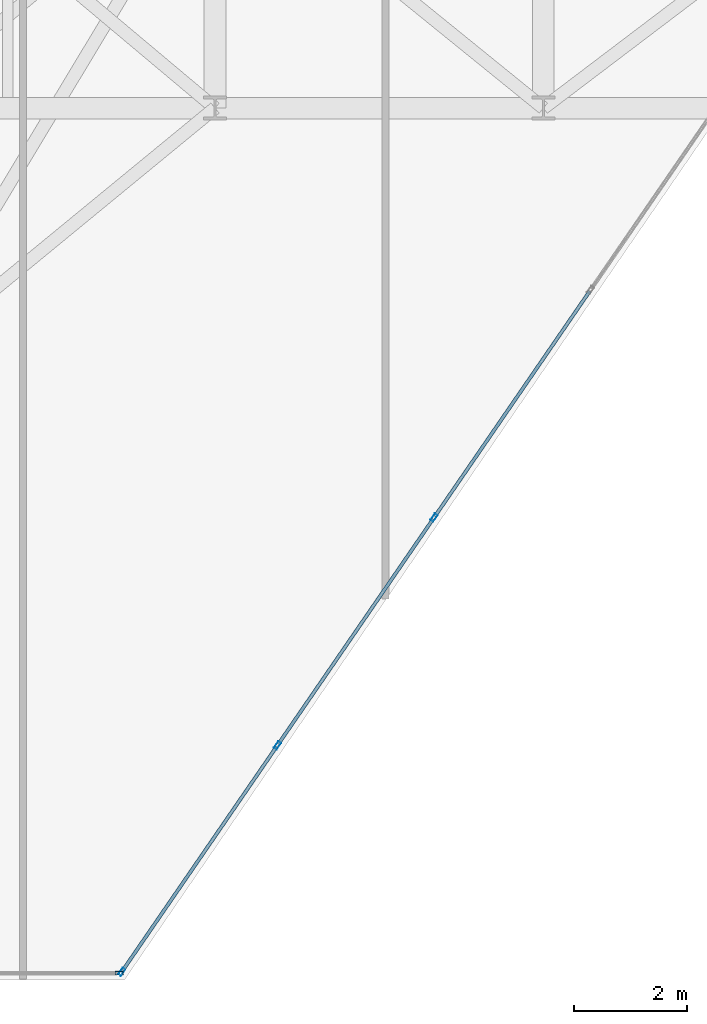
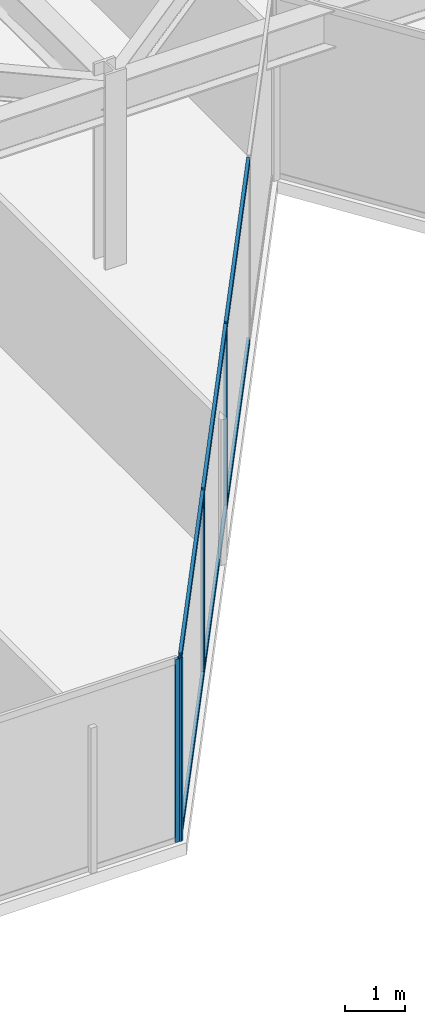
# One storey, part 4 of 21: 10 members, 2 elements without a shape of their own.
"""IFC4 building model written with IfcOpenShell, lengths in metres."""

from ifc_helpers import new_model, si_unit, direction, frame, origin, origin_2d, place, context, subcontext, project, spatial, hollow_rectangle, extrude, material, layer, layer_set, material_profile, profile_set, type_object, element, aggregate, save


model = new_model("IFC4")

# Units and contexts
model_context = context("Model", 3, precision=1e-05, world=origin(), true_north=direction((0.0, 1.0)))
body_context = subcontext(model_context, "Body", "Model", "MODEL_VIEW")
ifc_project = project(units=[si_unit("LENGTHUNIT", "METRE"), si_unit("AREAUNIT", "SQUARE_METRE"), si_unit("VOLUMEUNIT", "CUBIC_METRE"), si_unit("PLANEANGLEUNIT", "RADIAN"), si_unit("MASSUNIT", "GRAM", prefix="KILO")], contexts=[model_context])

# Site, building, storey
site_placement = place(None, origin())
site = spatial("IfcSite", under=ifc_project, at=site_placement, CompositionType="ELEMENT")
building_placement = place(site_placement, origin())
building = spatial("IfcBuilding", under=site, at=building_placement, Name="Kravanh Interchange Tower", CompositionType="ELEMENT")
storey_placement = place(building_placement, frame((0.0, 0.0, 184.5)))
storey = spatial("IfcBuildingStorey", under=building, at=storey_placement, Name="L44", CompositionType="ELEMENT", Elevation=184.5)

# Curtain wall, members
ifc_material_1 = material(Name="Anodised Bronze Aluminium", Category="aluminium")
ifc_layer = layer(ifc_material_1, 0.179931640625)
ifc_layer_set = layer_set([ifc_layer], Name="Unitised Curtain Wall System CW-Z3 Upper Office")
curtain_wall_type = type_object("IfcCurtainWallType", Name="Unitised Curtain Wall System CW-Z3 Upper Office", PredefinedType="NOTDEFINED", material=ifc_layer_set)
curtain_wall_1_placement = place(storey_placement, origin())
curtain_wall_1 = element("IfcCurtainWall", 1, at=curtain_wall_1_placement, inside=storey, type_object=curtain_wall_type, Name="L44 Unitised Curtain Wall CW-L44-04", PredefinedType="NOTDEFINED")
ifc_material_2 = material(Name="Anodised Bronze Aluminium", Category="aluminium")
ifc_material_profile_1 = material_profile(ifc_material_2, hollow_rectangle(XDim=0.06005859375, YDim=0.139892578125, WallThickness=0.00390625, at=origin_2d()), Name="ALU60X140X4")
ifc_profile_set_1 = profile_set([ifc_material_profile_1], Name="Anodised Bronze Aluminium")
member_type_1 = type_object("IfcMemberType", Name="Curtain Wall Mullion ALU60X140X4 Bronze", PredefinedType="MULLION", material=ifc_profile_set_1)
member_1_placement = place(storey_placement, frame((36.66845703125, 19.56591796875, 0.0), z_axis=(0.0, 0.0, 1.0), x_axis=(0.824042223035, -0.566528388217, 0.0)))
member_1 = element("IfcMember", 2, at=member_1_placement, type_object=member_type_1, Name="CW-Z3 mullion 3", PredefinedType="MULLION", context=body_context, shape_type="SweptSolid", body=[
    extrude(hollow_rectangle(XDim=0.06005859375, YDim=0.139892578125, WallThickness=0.00390625, at=origin_2d()), origin(), (0.0, 0.0, 1.0), 3.7548828125),
])
member_2_placement = place(storey_placement, frame((33.902587890625, 15.54296875, 0.0), z_axis=(0.0, 0.0, 1.0), x_axis=(0.824042223035, -0.566528388217, 0.0)))
member_2 = element("IfcMember", 3, at=member_2_placement, type_object=member_type_1, Name="CW-Z3 mullion 4", PredefinedType="MULLION", context=body_context, shape_type="SweptSolid", body=[
    extrude(hollow_rectangle(XDim=0.06005859375, YDim=0.139892578125, WallThickness=0.00390625, at=origin_2d()), origin(), (0.0, 0.0, 1.0), 3.7548828125),
])
member_3_placement = place(storey_placement, frame((31.15380859375, 11.544677734375, 0.0), z_axis=(0.0, 0.0, 1.0), x_axis=(0.824042223035, -0.566528388217, 0.0)))
member_3 = element("IfcMember", 4, at=member_3_placement, type_object=member_type_1, Name="CW-Z3 mullion 5", PredefinedType="MULLION", context=body_context, shape_type="SweptSolid", body=[
    extrude(hollow_rectangle(XDim=0.06005859375, YDim=0.139892578125, WallThickness=0.00390625, at=origin_2d()), origin(), (0.0, 0.0, 1.0), 3.7548828125),
])

# Curtain wall, member
curtain_wall_2_placement = place(storey_placement, origin())
curtain_wall_2 = element("IfcCurtainWall", 5, at=curtain_wall_2_placement, inside=storey, type_object=curtain_wall_type, Name="L44 Unitised Curtain Wall CW-L44-05", PredefinedType="NOTDEFINED")
member_4_placement = place(storey_placement, frame((31.10693359375, 11.52001953125, 0.0), z_axis=(0.0, 0.0, 1.0), x_axis=(0.0, -1.0, 0.0)))
member_4 = element("IfcMember", 6, at=member_4_placement, type_object=member_type_1, Name="CW-Z3 mullion 1", PredefinedType="MULLION", context=body_context, shape_type="SweptSolid", body=[
    extrude(hollow_rectangle(XDim=0.06005859375, YDim=0.139892578125, WallThickness=0.00390625, at=origin_2d()), origin(), (0.0, 0.0, 1.0), 3.7548828125),
])
aggregate(curtain_wall_2, [member_4])

# Member
ifc_material_3 = material(Name="Anodised Bronze Aluminium", Category="aluminium")
ifc_material_profile_2 = material_profile(ifc_material_3, hollow_rectangle(XDim=0.06005859375, YDim=0.139892578125, WallThickness=0.00390625, at=origin_2d()), Name="ALU60X140X4")
ifc_profile_set_2 = profile_set([ifc_material_profile_2], Name="Anodised Bronze Aluminium")
member_type_2 = type_object("IfcMemberType", Name="Curtain Wall Transom ALU60X140X4 Bronze", PredefinedType="USERDEFINED", material=ifc_profile_set_2)
member_5_placement = place(storey_placement, frame((39.417236328125, 23.564208984375, 0.030029296875), z_axis=(-0.566503037389, -0.824059651135, 0.0), x_axis=(0.824059651135, -0.566503037389, 0.0)))
member_5 = element("IfcMember", 7, at=member_5_placement, type_object=member_type_2, Name="CW-Z3 transom 2.1", ObjectType="TRANSOM", PredefinedType="USERDEFINED", context=body_context, shape_type="SweptSolid", body=[
    extrude(hollow_rectangle(XDim=0.06005859375, YDim=0.139892578125, WallThickness=0.00390625, at=origin_2d()), origin(), (0.0, 0.0, 1.0), 4.822021484375),
])

member_6_placement = place(storey_placement, frame((39.417236328125, 23.564208984375, 3.72509765625), z_axis=(-0.566503037389, -0.824059651135, 0.0), x_axis=(0.824059651135, -0.566503037389, 0.0)))
member_6 = element("IfcMember", 8, at=member_6_placement, type_object=member_type_2, Name="CW-Z3 transom 2.2", ObjectType="TRANSOM", PredefinedType="USERDEFINED", context=body_context, shape_type="SweptSolid", body=[
    extrude(hollow_rectangle(XDim=0.06005859375, YDim=0.139892578125, WallThickness=0.00390625, at=origin_2d()), origin(), (0.0, 0.0, 1.0), 4.822021484375),
])

member_7_placement = place(storey_placement, frame((36.6513671875, 19.541259765625, 0.030029296875), z_axis=(-0.566503037389, -0.824059651135, 0.0), x_axis=(0.824059651135, -0.566503037389, 0.0)))
member_7 = element("IfcMember", 9, at=member_7_placement, type_object=member_type_2, Name="CW-Z3 transom 3.1", ObjectType="TRANSOM", PredefinedType="USERDEFINED", context=body_context, shape_type="SweptSolid", body=[
    extrude(hollow_rectangle(XDim=0.06005859375, YDim=0.139892578125, WallThickness=0.00390625, at=origin_2d()), origin(), (0.0, 0.0, 1.0), 4.822021484375),
])

member_8_placement = place(storey_placement, frame((36.6513671875, 19.541259765625, 3.72509765625), z_axis=(-0.566503037389, -0.824059651135, 0.0), x_axis=(0.824059651135, -0.566503037389, 0.0)))
member_8 = element("IfcMember", 10, at=member_8_placement, type_object=member_type_2, Name="CW-Z3 transom 3.2", ObjectType="TRANSOM", PredefinedType="USERDEFINED", context=body_context, shape_type="SweptSolid", body=[
    extrude(hollow_rectangle(XDim=0.06005859375, YDim=0.139892578125, WallThickness=0.00390625, at=origin_2d()), origin(), (0.0, 0.0, 1.0), 4.822021484375),
])

member_9_placement = place(storey_placement, frame((33.8857421875, 15.518310546875, 0.030029296875), z_axis=(-0.566518012045, -0.824049356549, 0.0), x_axis=(0.824049356549, -0.566518012045, 0.0)))
member_9 = element("IfcMember", 11, at=member_9_placement, type_object=member_type_2, Name="CW-Z3 transom 4.1", ObjectType="TRANSOM", PredefinedType="USERDEFINED", context=body_context, shape_type="SweptSolid", body=[
    extrude(hollow_rectangle(XDim=0.06005859375, YDim=0.139892578125, WallThickness=0.00390625, at=origin_2d()), origin(), (0.0, 0.0, 1.0), 4.792236328125),
])

member_10_placement = place(storey_placement, frame((33.8857421875, 15.518310546875, 3.72509765625), z_axis=(-0.566518012045, -0.824049356549, 0.0), x_axis=(0.824049356549, -0.566518012045, 0.0)))
member_10 = element("IfcMember", 12, at=member_10_placement, type_object=member_type_2, Name="CW-Z3 transom 4.2", ObjectType="TRANSOM", PredefinedType="USERDEFINED", context=body_context, shape_type="SweptSolid", body=[
    extrude(hollow_rectangle(XDim=0.06005859375, YDim=0.139892578125, WallThickness=0.00390625, at=origin_2d()), origin(), (0.0, 0.0, 1.0), 4.792236328125),
])

aggregate(curtain_wall_1, [member_1, member_2, member_3, member_5, member_6, member_7, member_8, member_9, member_10])

save(model, "model.ifc")
